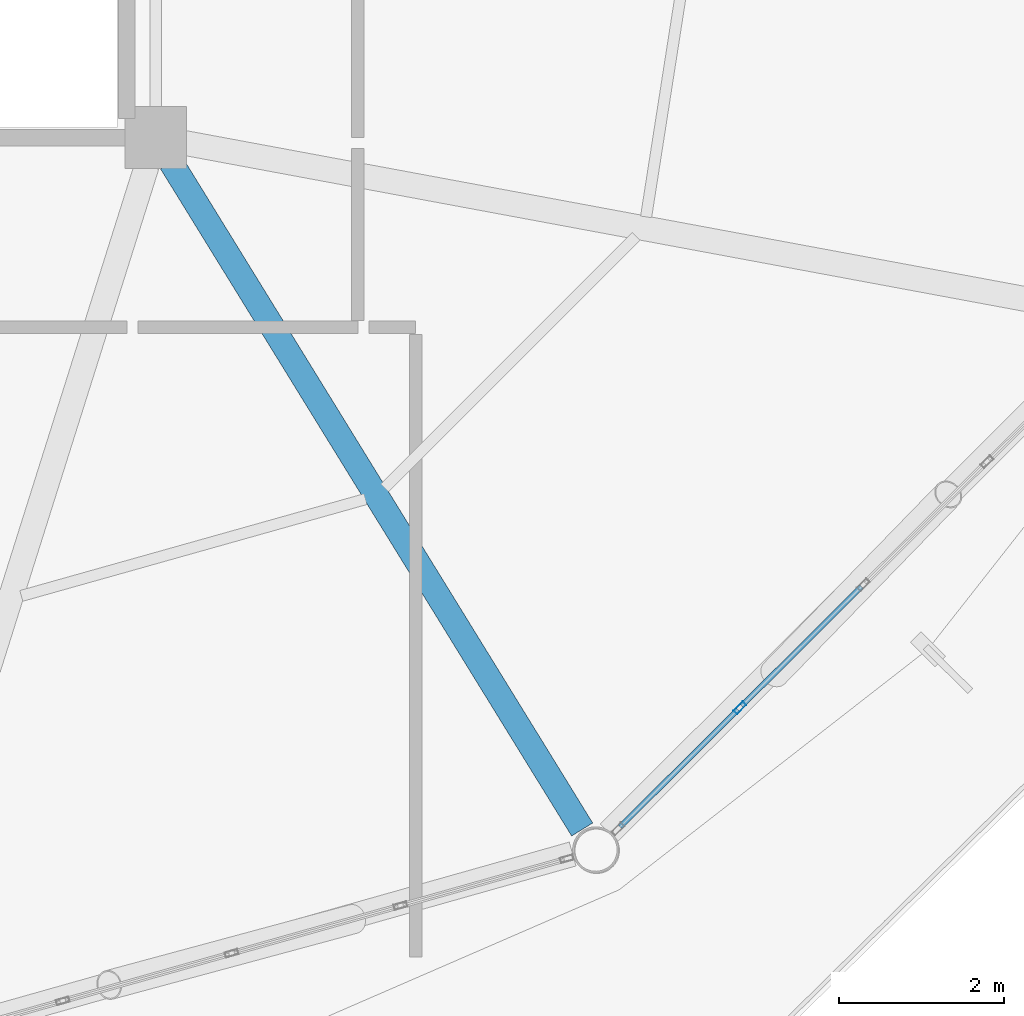
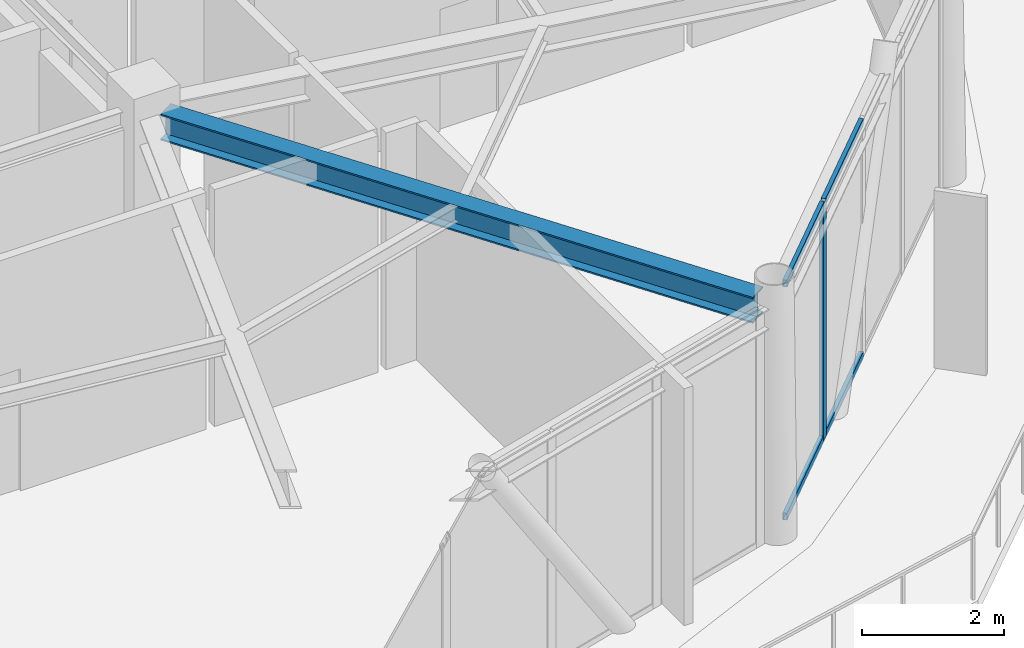
# One storey, part 7 of 24: 5 members, 1 beam, 1 element without a shape of its own.
"""IFC4 building model written with IfcOpenShell, lengths in metres."""

from ifc_helpers import new_model, si_unit, direction, frame, origin, origin_2d, place, context, subcontext, project, spatial, hollow_rectangle, i_section, extrude, material, layer, layer_set, material_profile, profile_set, type_object, element, aggregate, save


model = new_model("IFC4")

# Units and contexts
model_context = context("Model", 3, precision=1e-05, world=origin(), true_north=direction((0.0, 1.0)))
body_context = subcontext(model_context, "Body", "Model", "MODEL_VIEW")
ifc_project = project(units=[si_unit("LENGTHUNIT", "METRE"), si_unit("AREAUNIT", "SQUARE_METRE"), si_unit("VOLUMEUNIT", "CUBIC_METRE"), si_unit("PLANEANGLEUNIT", "RADIAN"), si_unit("MASSUNIT", "GRAM", prefix="KILO")], contexts=[model_context])

# Site, building, storey
site_placement = place(None, origin())
site = spatial("IfcSite", under=ifc_project, at=site_placement, CompositionType="ELEMENT")
building_placement = place(site_placement, origin())
building = spatial("IfcBuilding", under=site, at=building_placement, Name="Varnakorn Sky Granary", CompositionType="ELEMENT")
storey_placement = place(building_placement, frame((0.0, 0.0, 285.0)))
storey = spatial("IfcBuildingStorey", under=building, at=storey_placement, Name="L73", CompositionType="ELEMENT", Elevation=285.0)

# Beam
ifc_material_1 = material(Name="Steel S355JR", Category="steel")
ifc_material_profile_1 = material_profile(ifc_material_1, i_section(OverallWidth=0.300048828125, OverallDepth=0.449951171875, WebThickness=0.013916015625, FlangeThickness=0.02587890625, at=origin_2d()), Name="HE 450 B")
ifc_profile_set_1 = profile_set([ifc_material_profile_1], Name="Steel S355JR")
beam_type = type_object("IfcBeamType", Name="BM-RAD-Z5", PredefinedType="BEAM", material=ifc_profile_set_1)
beam_placement = place(storey_placement, frame((8.536376953125, -6.902099609375, 3.85498046875), z_axis=(0.524659588893, -0.8513121142, 0.0), x_axis=(0.8513121142, 0.524659588893, 0.0)))
element("IfcBeam", 1, at=beam_placement, inside=storey, type_object=beam_type, Name="Radial Floor Girder RG11 L73", PredefinedType="BEAM", context=body_context, shape_type="SweptSolid", body=[
    extrude(i_section(OverallWidth=0.300048828125, OverallDepth=0.449951171875, WebThickness=0.013916015625, FlangeThickness=0.02587890625, at=origin_2d()), origin(), (0.0, 0.0, 1.0), 9.49658203125),
])

# Curtain wall, members
ifc_material_2 = material(Name="Anodised Bronze Aluminium Alloy 6063-T6", Category="aluminium")
ifc_layer = layer(ifc_material_2, 0.159912109375, Name="Anodised Bronze Aluminium Alloy 6063-T6")
ifc_layer_set = layer_set([ifc_layer], Name="Anodised Bronze Aluminium Alloy 6063-T6")
curtain_wall_type = type_object("IfcCurtainWallType", Name="CW-OFF-1", PredefinedType="USERDEFINED", material=ifc_layer_set)
curtain_wall_placement = place(storey_placement, origin())
curtain_wall = element("IfcCurtainWall", 2, at=curtain_wall_placement, inside=storey, type_object=curtain_wall_type, Name="Unitised Curtain Wall CW6 CW-L73-B11", ObjectType="CURTAIN WALL", PredefinedType="USERDEFINED")
ifc_material_profile_2 = material_profile(ifc_material_2, hollow_rectangle(XDim=0.06494140625, YDim=0.159912109375, WallThickness=0.00341796875, at=origin_2d()), Name="ALU MULL 65x160")
ifc_profile_set_2 = profile_set([ifc_material_profile_2], Name="Anodised Bronze Aluminium Alloy 6063-T6")
member_type_1 = type_object("IfcMemberType", Name="CW-OFF-1-MULL", PredefinedType="MULLION", material=ifc_profile_set_2)
member_1_placement = place(storey_placement, frame((15.429931640625, -13.510986328125, 0.0), z_axis=(0.0, 0.0, 1.0), x_axis=(0.705418921213, -0.708790621831, 0.0)))
member_1 = element("IfcMember", 3, at=member_1_placement, type_object=member_type_1, Name="CW6 mullion 4", PredefinedType="MULLION", context=body_context, shape_type="SweptSolid", body=[
    extrude(hollow_rectangle(XDim=0.06494140625, YDim=0.159912109375, WallThickness=0.00341796875, at=origin_2d()), origin(), (0.0, 0.0, 1.0), 4.080078125),
])
ifc_material_profile_3 = material_profile(ifc_material_2, hollow_rectangle(XDim=0.06494140625, YDim=0.1201171875, WallThickness=0.00341796875, at=origin_2d()), Name="ALU TRAN 65x120")
ifc_profile_set_3 = profile_set([ifc_material_profile_3], Name="Anodised Bronze Aluminium Alloy 6063-T6")
member_type_2 = type_object("IfcMemberType", Name="CW-OFF-1-TRAN", PredefinedType="USERDEFINED", material=ifc_profile_set_3)
member_2_placement = place(storey_placement, frame((16.90478515625, -12.043212890625, 0.032470703125), z_axis=(-0.708832948518, -0.705376389664, 0.0), x_axis=(0.705376389664, -0.708832948518, 0.0)))
member_2 = element("IfcMember", 4, at=member_2_placement, type_object=member_type_2, Name="CW6 transom 3.1", ObjectType="TRANSOM", PredefinedType="USERDEFINED", context=body_context, shape_type="SweptSolid", body=[
    extrude(hollow_rectangle(XDim=0.06494140625, YDim=0.1201171875, WallThickness=0.00341796875, at=origin_2d()), origin(), (0.0, 0.0, 1.0), 2.04833984375),
])
member_3_placement = place(storey_placement, frame((16.90478515625, -12.043212890625, 4.047607421875), z_axis=(-0.708832948518, -0.705376389664, 0.0), x_axis=(0.705376389664, -0.708832948518, 0.0)))
member_3 = element("IfcMember", 5, at=member_3_placement, type_object=member_type_2, Name="CW6 transom 3.2", ObjectType="TRANSOM", PredefinedType="USERDEFINED", context=body_context, shape_type="SweptSolid", body=[
    extrude(hollow_rectangle(XDim=0.06494140625, YDim=0.1201171875, WallThickness=0.00341796875, at=origin_2d()), origin(), (0.0, 0.0, 1.0), 2.04833984375),
])
member_4_placement = place(storey_placement, frame((15.406982421875, -13.533935546875, 0.032470703125), z_axis=(-0.708800442822, -0.705409053143, 0.0), x_axis=(0.705409053143, -0.708800442822, 0.0)))
member_4 = element("IfcMember", 6, at=member_4_placement, type_object=member_type_2, Name="CW6 transom 4.1", ObjectType="TRANSOM", PredefinedType="USERDEFINED", context=body_context, shape_type="SweptSolid", body=[
    extrude(hollow_rectangle(XDim=0.06494140625, YDim=0.1201171875, WallThickness=0.00341796875, at=origin_2d()), origin(), (0.0, 0.0, 1.0), 2.015625),
])
member_5_placement = place(storey_placement, frame((15.406982421875, -13.533935546875, 4.047607421875), z_axis=(-0.708800442822, -0.705409053143, 0.0), x_axis=(0.705409053143, -0.708800442822, 0.0)))
member_5 = element("IfcMember", 7, at=member_5_placement, type_object=member_type_2, Name="CW6 transom 4.2", ObjectType="TRANSOM", PredefinedType="USERDEFINED", context=body_context, shape_type="SweptSolid", body=[
    extrude(hollow_rectangle(XDim=0.06494140625, YDim=0.1201171875, WallThickness=0.00341796875, at=origin_2d()), origin(), (0.0, 0.0, 1.0), 2.015625),
])
aggregate(curtain_wall, [member_1, member_2, member_3, member_4, member_5])

save(model, "model.ifc")
